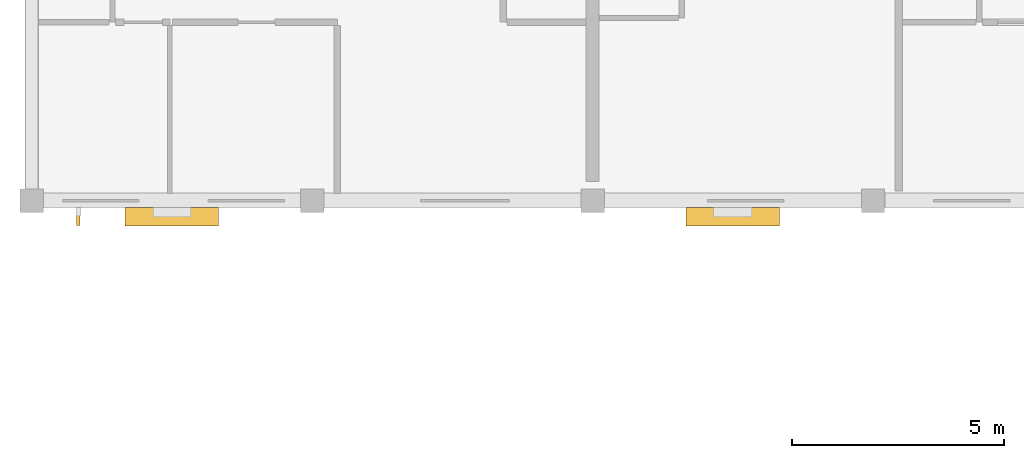
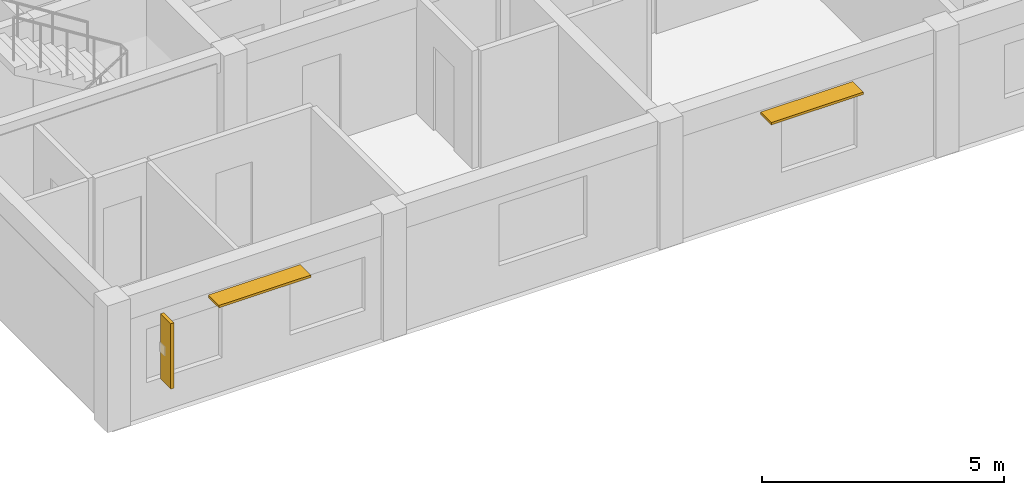
# One storey, part 48 of 53: 3 shading devices.
"""IFC4 building model written with IfcOpenShell, lengths in metres."""

from ifc_helpers import new_model, si_unit, direction, frame, origin, origin_2d, place, context, subcontext, project, spatial, rectangle, extrude, material, layer, layer_set, type_object, element, save


model = new_model("IFC4")

# Units and contexts
model_context = context("Model", 3, precision=1e-05, world=origin(), true_north=direction((0.0, 1.0)))
body_context = subcontext(model_context, "Body", "Model", "MODEL_VIEW")
ifc_project = project(units=[si_unit("LENGTHUNIT", "METRE"), si_unit("AREAUNIT", "SQUARE_METRE"), si_unit("VOLUMEUNIT", "CUBIC_METRE"), si_unit("PLANEANGLEUNIT", "RADIAN"), si_unit("MASSUNIT", "GRAM", prefix="KILO")], contexts=[model_context])

# Site, building, storey
site_placement = place(None, origin())
site = spatial("IfcSite", under=ifc_project, at=site_placement, CompositionType="ELEMENT")
building_placement = place(site_placement, origin())
building = spatial("IfcBuilding", under=site, at=building_placement, Name="Kernevlak Ridge Housing Community", CompositionType="ELEMENT")
storey_placement = place(building_placement, frame((0.0, 0.0, 24.39990234375)))
storey = spatial("IfcBuildingStorey", under=building, at=storey_placement, Name="L07", CompositionType="ELEMENT", Elevation=24.39990234375)

# Shading devices
ifc_material_1 = material(Name="Aluminium EN AW-6060 anodised", Category="aluminium")
ifc_layer = layer(ifc_material_1, 0.06005859375, Name="Aluminium EN AW-6060 anodised")
ifc_layer_set = layer_set([ifc_layer], Name="Aluminium EN AW-6060 anodised")
shading_device_type_1 = type_object("IfcShadingDeviceType", Name="LV-01", PredefinedType="JALOUSIE", material=ifc_layer_set)
for number, where, z_axis, x_axis, name in (
    (1, (18.89990234375, 75.6201171875, 2.489990234375), (0.0, 0.0, 1.0), (1.0, 0.0, 0.0), "Horizontal solar louvre 5"),
    (2, (32.10009765625, 75.6201171875, 2.489990234375), (0.0, 0.0, 1.0), (1.0, 0.0, 0.0), "Horizontal solar louvre 6"),
):
    element("IfcShadingDevice", number, at=place(storey_placement, frame(where, z_axis=z_axis, x_axis=x_axis)), inside=storey, type_object=shading_device_type_1, Name=name, PredefinedType="JALOUSIE", context=body_context, shape_type="SweptSolid", body=[
        extrude(rectangle(XDim=2.199951171875, YDim=0.43994140625, at=origin_2d()), origin(), (0.0, 0.0, 1.0), 0.06005859375),
    ])
ifc_material_2 = material(Name="Aluminium EN AW-6060 enamelled", Category="aluminium")
shading_device_type_2 = type_object("IfcShadingDeviceType", Name="LV-02", PredefinedType="USERDEFINED", material=ifc_material_2)
shading_device_placement = place(storey_placement, frame((16.699951171875, 75.6298828125, 0.8251953125), z_axis=(0.0, 0.0, 1.0), x_axis=(1.0, 0.0, 0.0)))
element("IfcShadingDevice", 3, at=shading_device_placement, inside=storey, type_object=shading_device_type_2, Name="De Stijl yellow vertical solar fin 5", ObjectType="LOUVRE", PredefinedType="USERDEFINED", context=body_context, shape_type="SweptSolid", body=[
    extrude(rectangle(XDim=0.080078125, YDim=0.419921875, at=origin_2d()), origin(), (0.0, 0.0, 1.0), 1.64990234375),
])

save(model, "model.ifc")
